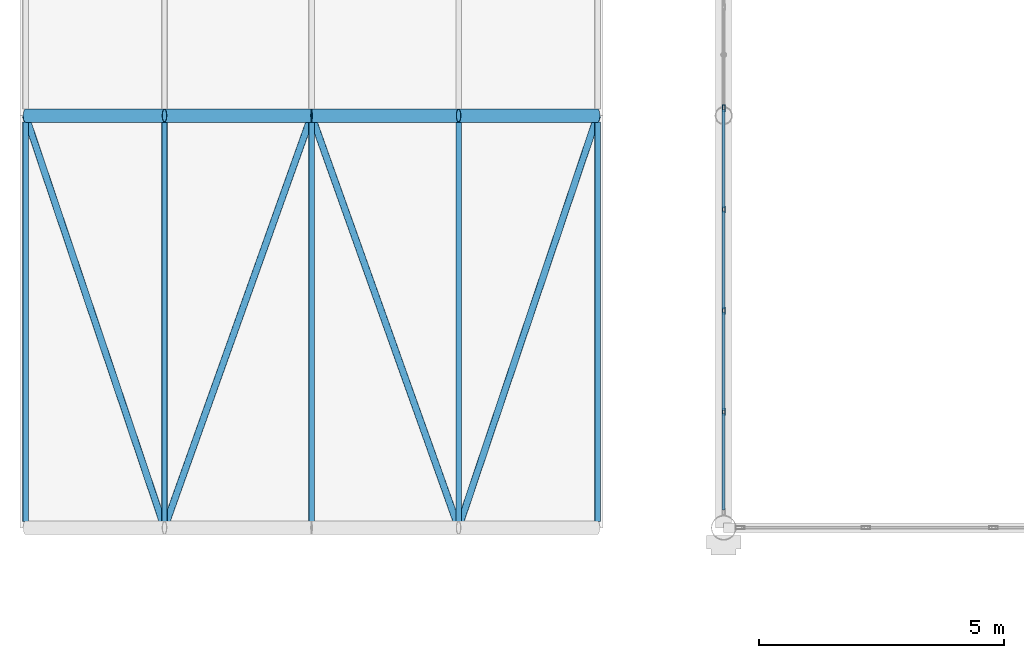
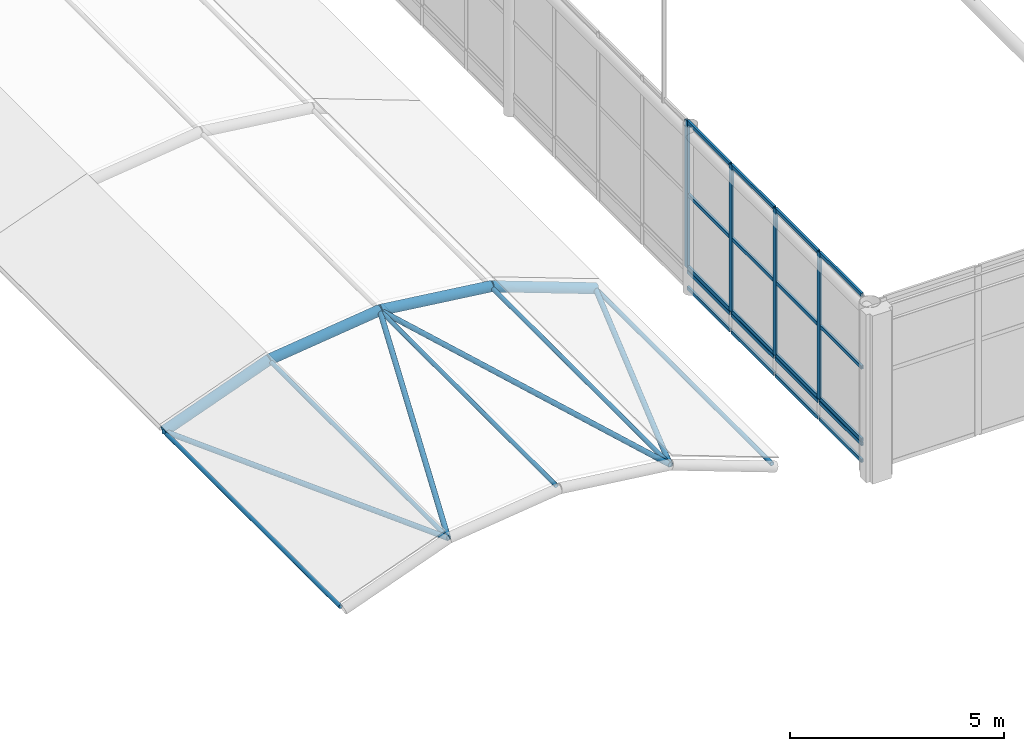
# One storey, part 20 of 167: 37 members, 2 elements without a shape of their own.
"""IFC4 building model written with IfcOpenShell, lengths in metres."""

from ifc_helpers import new_model, si_unit, direction, frame, origin, origin_2d, place, context, subcontext, project, spatial, hollow_rectangle, hollow_circle, extrude, material, material_profile, profile_set, type_object, element, aggregate, save


model = new_model("IFC4")

# Units and contexts
model_context = context("Model", 3, precision=1e-05, world=origin(), true_north=direction((0.0, 1.0)))
body_context = subcontext(model_context, "Body", "Model", "MODEL_VIEW")
ifc_project = project(units=[si_unit("LENGTHUNIT", "METRE"), si_unit("AREAUNIT", "SQUARE_METRE"), si_unit("VOLUMEUNIT", "CUBIC_METRE"), si_unit("PLANEANGLEUNIT", "RADIAN"), si_unit("MASSUNIT", "GRAM", prefix="KILO")], contexts=[model_context])

# Site, building, storey
site_placement = place(None, origin())
site = spatial("IfcSite", under=ifc_project, at=site_placement, CompositionType="ELEMENT")
building_placement = place(site_placement, origin())
building = spatial("IfcBuilding", under=site, at=building_placement, Name="Catenary Quay Ferry Terminal", CompositionType="ELEMENT")
storey_placement = place(building_placement, frame((0.0, 0.0, 6.0)))
storey = spatial("IfcBuildingStorey", under=building, at=storey_placement, Name="L01", CompositionType="ELEMENT", Elevation=6.0)

# Members
ifc_material_1 = material(Name="Steel S355", Category="steel")
ifc_material_profile_1 = material_profile(ifc_material_1, hollow_circle(Radius=0.06982421875, WallThickness=0.008056640625, at=origin_2d()), Name="CHS 139.7x8")
ifc_profile_set_1 = profile_set([ifc_material_profile_1], Name="Steel S355")
member_type_1 = type_object("IfcMemberType", Name="BR1 CHS 139.7x8", PredefinedType="BRACE", material=ifc_profile_set_1)
member_1_placement = place(storey_placement, frame((10.970947265625, 75.60009765625, 0.98388671875), z_axis=(0.317267239947, -0.941052924557, 0.117306826908), x_axis=(0.947595388792, 0.319472970907, 0.0)))
element("IfcMember", 1, at=member_1_placement, inside=storey, type_object=member_type_1, Name="Roof brace BR-FC-01-02", PredefinedType="BRACE", context=body_context, shape_type="SweptSolid", body=[
    extrude(hollow_circle(Radius=0.06982421875, WallThickness=0.008056640625, at=origin_2d()), origin(), (0.0, 0.0, 1.0), 8.92626953125),
])
for number, where, z_axis, x_axis, name in (
    (2, (13.802978515625, 67.199951171875, 2.031005859375), (0.33575277374, 0.9410431481, 0.041326363728), (-0.941847767785, 0.336039852278, 0.0), "Roof brace BR-FC-01-03"),
    (3, (16.800048828125, 75.60009765625, 2.39990234375), (0.33575277374, -0.9410431481, -0.041326363728), (0.941847767785, 0.336039852278, 0.0), "Roof brace BR-FC-01-04"),
):
    element("IfcMember", number, at=place(storey_placement, frame(where, z_axis=z_axis, x_axis=x_axis)), inside=storey, type_object=member_type_1, Name=name, PredefinedType="BRACE", context=body_context, shape_type="SweptSolid", body=[
        extrude(hollow_circle(Radius=0.06982421875, WallThickness=0.008056640625, at=origin_2d()), origin(), (0.0, 0.0, 1.0), 8.926513671875),
    ])
member_2_placement = place(storey_placement, frame((19.797119140625, 67.199951171875, 2.031005859375), z_axis=(0.317242642076, 0.941061090258, -0.117307844802), x_axis=(-0.947603725992, 0.3194482407, 0.0)))
element("IfcMember", 4, at=member_2_placement, inside=storey, type_object=member_type_1, Name="Roof brace BR-FC-01-05", PredefinedType="BRACE", context=body_context, shape_type="SweptSolid", body=[
    extrude(hollow_circle(Radius=0.06982421875, WallThickness=0.008056640625, at=origin_2d()), origin(), (0.0, 0.0, 1.0), 8.92626953125),
])

# Curtain wall, members
ifc_material_2 = material(Name="Aluminium and glass", Category="aluminium")
curtain_wall_type_1 = type_object("IfcCurtainWallType", Name="CWG", PredefinedType="NOTDEFINED", material=ifc_material_2)
curtain_wall_1_placement = place(storey_placement, origin())
curtain_wall_1 = element("IfcCurtainWall", 5, at=curtain_wall_1_placement, inside=storey, type_object=curtain_wall_type_1, Name="Gable arrivals hall curtain wall CW4", PredefinedType="NOTDEFINED")
ifc_material_3 = material(Name="Aluminium", Category="aluminium")
ifc_material_profile_2 = material_profile(ifc_material_3, hollow_rectangle(XDim=0.06005859375, YDim=0.139892578125, WallThickness=0.006103515625, at=origin_2d()), Name="MU2")
ifc_profile_set_2 = profile_set([ifc_material_profile_2], Name="Aluminium")
member_type_2 = type_object("IfcMemberType", Name="MU2", PredefinedType="MULLION", material=ifc_profile_set_2)
member_3_placement = place(storey_placement, frame((25.199951171875, 69.5625, 0.60009765625), z_axis=(0.0, 0.0, 1.0), x_axis=(-1.0, 0.0, 0.0)))
member_3 = element("IfcMember", 6, at=member_3_placement, type_object=member_type_2, Name="CW4 mullion 2", PredefinedType="MULLION", context=body_context, shape_type="SweptSolid", body=[
    extrude(hollow_rectangle(XDim=0.06005859375, YDim=0.139892578125, WallThickness=0.006103515625, at=origin_2d()), origin(), (0.0, 0.0, 1.0), 4.199951171875),
])
member_4_placement = place(storey_placement, frame((25.199951171875, 71.625, 0.60009765625), z_axis=(0.0, 0.0, 1.0), x_axis=(-1.0, 0.0, 0.0)))
member_4 = element("IfcMember", 7, at=member_4_placement, type_object=member_type_2, Name="CW4 mullion 3", PredefinedType="MULLION", context=body_context, shape_type="SweptSolid", body=[
    extrude(hollow_rectangle(XDim=0.06005859375, YDim=0.139892578125, WallThickness=0.006103515625, at=origin_2d()), origin(), (0.0, 0.0, 1.0), 4.199951171875),
])
member_5_placement = place(storey_placement, frame((25.199951171875, 73.6875, 0.60009765625), z_axis=(0.0, 0.0, 1.0), x_axis=(-1.0, 0.0, 0.0)))
member_5 = element("IfcMember", 8, at=member_5_placement, type_object=member_type_2, Name="CW4 mullion 4", PredefinedType="MULLION", context=body_context, shape_type="SweptSolid", body=[
    extrude(hollow_rectangle(XDim=0.06005859375, YDim=0.139892578125, WallThickness=0.006103515625, at=origin_2d()), origin(), (0.0, 0.0, 1.0), 4.199951171875),
])
member_6_placement = place(storey_placement, frame((25.199951171875, 75.75, 0.60009765625), z_axis=(0.0, 0.0, 1.0), x_axis=(-1.0, 0.0, 0.0)))
member_6 = element("IfcMember", 9, at=member_6_placement, type_object=member_type_2, Name="CW4 mullion 5", PredefinedType="MULLION", context=body_context, shape_type="SweptSolid", body=[
    extrude(hollow_rectangle(XDim=0.06005859375, YDim=0.139892578125, WallThickness=0.006103515625, at=origin_2d()), origin(), (0.0, 0.0, 1.0), 4.199951171875),
])

# Members
ifc_material_4 = material(Name="Steel S355", Category="steel")
ifc_material_profile_3 = material_profile(ifc_material_4, hollow_circle(Radius=0.05712890625, WallThickness=0.00634765625, at=origin_2d()), Name="CHS 114.3x6.3")
ifc_profile_set_3 = profile_set([ifc_material_profile_3], Name="Steel S355")
member_type_3 = type_object("IfcMemberType", Name="PU2 CHS 114.3x6.3", PredefinedType="PURLIN", material=ifc_profile_set_3)
for number, where, z_axis, x_axis, name in (
    (10, (10.970947265625, 67.330078125, 0.98388671875), (0.0, 1.0, 0.0), (-1.0, 0.0, 0.0), "Purlin PU-FC-01-01"),
    (11, (13.802978515625, 67.330078125, 2.031005859375), (0.0, 1.0, 0.0), (-1.0, 0.0, 0.0), "Purlin PU-FC-01-02"),
    (12, (16.800048828125, 67.330078125, 2.39990234375), (0.0, 1.0, 0.0), (-1.0, 0.0, 0.0), "Purlin PU-FC-01-03"),
    (13, (19.797119140625, 67.330078125, 2.031005859375), (0.0, 1.0, 0.0), (-1.0, 0.0, 0.0), "Purlin PU-FC-01-04"),
    (14, (22.62890625, 67.330078125, 0.98388671875), (0.0, 1.0, 0.0), (-1.0, 0.0, 0.0), "Purlin PU-FC-01-05"),
):
    element("IfcMember", number, at=place(storey_placement, frame(where, z_axis=z_axis, x_axis=x_axis)), inside=storey, type_object=member_type_3, Name=name, PredefinedType="PURLIN", context=body_context, shape_type="SweptSolid", body=[
        extrude(hollow_circle(Radius=0.05712890625, WallThickness=0.00634765625, at=origin_2d()), origin(), (0.0, 0.0, 1.0), 8.139892578125),
    ])

# Member
ifc_material_5 = material(Name="Aluminium", Category="aluminium")
ifc_material_profile_4 = material_profile(ifc_material_5, hollow_rectangle(XDim=0.06005859375, YDim=0.10009765625, WallThickness=0.0048828125, at=origin_2d()), Name="TR2")
ifc_profile_set_4 = profile_set([ifc_material_profile_4], Name="Aluminium")
member_type_4 = type_object("IfcMemberType", Name="TR2", PredefinedType="USERDEFINED", material=ifc_profile_set_4)
member_7_placement = place(storey_placement, frame((25.199951171875, 67.56005859375, 0.6298828125), z_axis=(0.0, 1.0, 0.0), x_axis=(-1.0, 0.0, 0.0)))
member_7 = element("IfcMember", 15, at=member_7_placement, type_object=member_type_4, Name="CW4 transom 1.1", ObjectType="TRANSOM", PredefinedType="USERDEFINED", context=body_context, shape_type="SweptSolid", body=[
    extrude(hollow_rectangle(XDim=0.06005859375, YDim=0.10009765625, WallThickness=0.0048828125, at=origin_2d()), origin(), (0.0, 0.0, 1.0), 1.972412109375),
])

member_8_placement = place(storey_placement, frame((25.199951171875, 67.56005859375, 2.699951171875), z_axis=(0.0, 1.0, 0.0), x_axis=(-1.0, 0.0, 0.0)))
member_8 = element("IfcMember", 16, at=member_8_placement, type_object=member_type_4, Name="CW4 transom 1.2", ObjectType="TRANSOM", PredefinedType="USERDEFINED", context=body_context, shape_type="SweptSolid", body=[
    extrude(hollow_rectangle(XDim=0.06005859375, YDim=0.10009765625, WallThickness=0.0048828125, at=origin_2d()), origin(), (0.0, 0.0, 1.0), 1.972412109375),
])

member_9_placement = place(storey_placement, frame((25.199951171875, 67.56005859375, 4.77001953125), z_axis=(0.0, 1.0, 0.0), x_axis=(-1.0, 0.0, 0.0)))
member_9 = element("IfcMember", 17, at=member_9_placement, type_object=member_type_4, Name="CW4 transom 1.3", ObjectType="TRANSOM", PredefinedType="USERDEFINED", context=body_context, shape_type="SweptSolid", body=[
    extrude(hollow_rectangle(XDim=0.06005859375, YDim=0.10009765625, WallThickness=0.0048828125, at=origin_2d()), origin(), (0.0, 0.0, 1.0), 1.972412109375),
])

member_10_placement = place(storey_placement, frame((25.199951171875, 69.592529296875, 0.6298828125), z_axis=(0.0, 1.0, 0.0), x_axis=(-1.0, 0.0, 0.0)))
member_10 = element("IfcMember", 18, at=member_10_placement, type_object=member_type_4, Name="CW4 transom 2.1", ObjectType="TRANSOM", PredefinedType="USERDEFINED", context=body_context, shape_type="SweptSolid", body=[
    extrude(hollow_rectangle(XDim=0.06005859375, YDim=0.10009765625, WallThickness=0.0048828125, at=origin_2d()), origin(), (0.0, 0.0, 1.0), 2.00244140625),
])

member_11_placement = place(storey_placement, frame((25.199951171875, 69.592529296875, 2.699951171875), z_axis=(0.0, 1.0, 0.0), x_axis=(-1.0, 0.0, 0.0)))
member_11 = element("IfcMember", 19, at=member_11_placement, type_object=member_type_4, Name="CW4 transom 2.2", ObjectType="TRANSOM", PredefinedType="USERDEFINED", context=body_context, shape_type="SweptSolid", body=[
    extrude(hollow_rectangle(XDim=0.06005859375, YDim=0.10009765625, WallThickness=0.0048828125, at=origin_2d()), origin(), (0.0, 0.0, 1.0), 2.00244140625),
])

member_12_placement = place(storey_placement, frame((25.199951171875, 69.592529296875, 4.77001953125), z_axis=(0.0, 1.0, 0.0), x_axis=(-1.0, 0.0, 0.0)))
member_12 = element("IfcMember", 20, at=member_12_placement, type_object=member_type_4, Name="CW4 transom 2.3", ObjectType="TRANSOM", PredefinedType="USERDEFINED", context=body_context, shape_type="SweptSolid", body=[
    extrude(hollow_rectangle(XDim=0.06005859375, YDim=0.10009765625, WallThickness=0.0048828125, at=origin_2d()), origin(), (0.0, 0.0, 1.0), 2.00244140625),
])

member_13_placement = place(storey_placement, frame((25.199951171875, 71.655029296875, 0.6298828125), z_axis=(0.0, 1.0, 0.0), x_axis=(-1.0, 0.0, 0.0)))
member_13 = element("IfcMember", 21, at=member_13_placement, type_object=member_type_4, Name="CW4 transom 3.1", ObjectType="TRANSOM", PredefinedType="USERDEFINED", context=body_context, shape_type="SweptSolid", body=[
    extrude(hollow_rectangle(XDim=0.06005859375, YDim=0.10009765625, WallThickness=0.0048828125, at=origin_2d()), origin(), (0.0, 0.0, 1.0), 2.00244140625),
])

member_14_placement = place(storey_placement, frame((25.199951171875, 71.655029296875, 2.699951171875), z_axis=(0.0, 1.0, 0.0), x_axis=(-1.0, 0.0, 0.0)))
member_14 = element("IfcMember", 22, at=member_14_placement, type_object=member_type_4, Name="CW4 transom 3.2", ObjectType="TRANSOM", PredefinedType="USERDEFINED", context=body_context, shape_type="SweptSolid", body=[
    extrude(hollow_rectangle(XDim=0.06005859375, YDim=0.10009765625, WallThickness=0.0048828125, at=origin_2d()), origin(), (0.0, 0.0, 1.0), 2.00244140625),
])

member_15_placement = place(storey_placement, frame((25.199951171875, 71.655029296875, 4.77001953125), z_axis=(0.0, 1.0, 0.0), x_axis=(-1.0, 0.0, 0.0)))
member_15 = element("IfcMember", 23, at=member_15_placement, type_object=member_type_4, Name="CW4 transom 3.3", ObjectType="TRANSOM", PredefinedType="USERDEFINED", context=body_context, shape_type="SweptSolid", body=[
    extrude(hollow_rectangle(XDim=0.06005859375, YDim=0.10009765625, WallThickness=0.0048828125, at=origin_2d()), origin(), (0.0, 0.0, 1.0), 2.00244140625),
])

member_16_placement = place(storey_placement, frame((25.199951171875, 73.717529296875, 0.6298828125), z_axis=(0.0, 1.0, 0.0), x_axis=(-1.0, 0.0, 0.0)))
member_16 = element("IfcMember", 24, at=member_16_placement, type_object=member_type_4, Name="CW4 transom 4.1", ObjectType="TRANSOM", PredefinedType="USERDEFINED", context=body_context, shape_type="SweptSolid", body=[
    extrude(hollow_rectangle(XDim=0.06005859375, YDim=0.10009765625, WallThickness=0.0048828125, at=origin_2d()), origin(), (0.0, 0.0, 1.0), 2.00244140625),
])

member_17_placement = place(storey_placement, frame((25.199951171875, 73.717529296875, 2.699951171875), z_axis=(0.0, 1.0, 0.0), x_axis=(-1.0, 0.0, 0.0)))
member_17 = element("IfcMember", 25, at=member_17_placement, type_object=member_type_4, Name="CW4 transom 4.2", ObjectType="TRANSOM", PredefinedType="USERDEFINED", context=body_context, shape_type="SweptSolid", body=[
    extrude(hollow_rectangle(XDim=0.06005859375, YDim=0.10009765625, WallThickness=0.0048828125, at=origin_2d()), origin(), (0.0, 0.0, 1.0), 2.00244140625),
])

member_18_placement = place(storey_placement, frame((25.199951171875, 73.717529296875, 4.77001953125), z_axis=(0.0, 1.0, 0.0), x_axis=(-1.0, 0.0, 0.0)))
member_18 = element("IfcMember", 26, at=member_18_placement, type_object=member_type_4, Name="CW4 transom 4.3", ObjectType="TRANSOM", PredefinedType="USERDEFINED", context=body_context, shape_type="SweptSolid", body=[
    extrude(hollow_rectangle(XDim=0.06005859375, YDim=0.10009765625, WallThickness=0.0048828125, at=origin_2d()), origin(), (0.0, 0.0, 1.0), 2.00244140625),
])

aggregate(curtain_wall_1, [member_3, member_4, member_5, member_6, member_7, member_8, member_9, member_10, member_11, member_12, member_13, member_14, member_15, member_16, member_17, member_18])

# Curtain wall, members
ifc_material_6 = material(Name="Aluminium and glass", Category="aluminium")
curtain_wall_type_2 = type_object("IfcCurtainWallType", Name="CWQ", PredefinedType="NOTDEFINED", material=ifc_material_6)
curtain_wall_2_placement = place(storey_placement, origin())
curtain_wall_2 = element("IfcCurtainWall", 27, at=curtain_wall_2_placement, inside=storey, type_object=curtain_wall_type_2, Name="Gable arrivals hall base curtain wall CW173", PredefinedType="NOTDEFINED")
member_19_placement = place(storey_placement, frame((25.199951171875, 67.56005859375, 0.030029296875), z_axis=(0.0, 1.0, 0.0), x_axis=(-1.0, 0.0, 0.0)))
member_19 = element("IfcMember", 28, at=member_19_placement, type_object=member_type_4, Name="CW173 transom 1.1", ObjectType="TRANSOM", PredefinedType="USERDEFINED", context=body_context, shape_type="SweptSolid", body=[
    extrude(hollow_rectangle(XDim=0.06005859375, YDim=0.10009765625, WallThickness=0.0048828125, at=origin_2d()), origin(), (0.0, 0.0, 1.0), 1.972412109375),
])
member_20_placement = place(storey_placement, frame((25.199951171875, 67.56005859375, 0.510009765625), z_axis=(0.0, 1.0, 0.0), x_axis=(-1.0, 0.0, 0.0)))
member_20 = element("IfcMember", 29, at=member_20_placement, type_object=member_type_4, Name="CW173 transom 1.2", ObjectType="TRANSOM", PredefinedType="USERDEFINED", context=body_context, shape_type="SweptSolid", body=[
    extrude(hollow_rectangle(XDim=0.06005859375, YDim=0.10009765625, WallThickness=0.0048828125, at=origin_2d()), origin(), (0.0, 0.0, 1.0), 1.972412109375),
])
member_21_placement = place(storey_placement, frame((25.199951171875, 69.592529296875, 0.030029296875), z_axis=(0.0, 1.0, 0.0), x_axis=(-1.0, 0.0, 0.0)))
member_21 = element("IfcMember", 30, at=member_21_placement, type_object=member_type_4, Name="CW173 transom 2.1", ObjectType="TRANSOM", PredefinedType="USERDEFINED", context=body_context, shape_type="SweptSolid", body=[
    extrude(hollow_rectangle(XDim=0.06005859375, YDim=0.10009765625, WallThickness=0.0048828125, at=origin_2d()), origin(), (0.0, 0.0, 1.0), 2.00244140625),
])
member_22_placement = place(storey_placement, frame((25.199951171875, 69.592529296875, 0.510009765625), z_axis=(0.0, 1.0, 0.0), x_axis=(-1.0, 0.0, 0.0)))
member_22 = element("IfcMember", 31, at=member_22_placement, type_object=member_type_4, Name="CW173 transom 2.2", ObjectType="TRANSOM", PredefinedType="USERDEFINED", context=body_context, shape_type="SweptSolid", body=[
    extrude(hollow_rectangle(XDim=0.06005859375, YDim=0.10009765625, WallThickness=0.0048828125, at=origin_2d()), origin(), (0.0, 0.0, 1.0), 2.00244140625),
])
member_23_placement = place(storey_placement, frame((25.199951171875, 71.655029296875, 0.030029296875), z_axis=(0.0, 1.0, 0.0), x_axis=(-1.0, 0.0, 0.0)))
member_23 = element("IfcMember", 32, at=member_23_placement, type_object=member_type_4, Name="CW173 transom 3.1", ObjectType="TRANSOM", PredefinedType="USERDEFINED", context=body_context, shape_type="SweptSolid", body=[
    extrude(hollow_rectangle(XDim=0.06005859375, YDim=0.10009765625, WallThickness=0.0048828125, at=origin_2d()), origin(), (0.0, 0.0, 1.0), 2.00244140625),
])
member_24_placement = place(storey_placement, frame((25.199951171875, 71.655029296875, 0.510009765625), z_axis=(0.0, 1.0, 0.0), x_axis=(-1.0, 0.0, 0.0)))
member_24 = element("IfcMember", 33, at=member_24_placement, type_object=member_type_4, Name="CW173 transom 3.2", ObjectType="TRANSOM", PredefinedType="USERDEFINED", context=body_context, shape_type="SweptSolid", body=[
    extrude(hollow_rectangle(XDim=0.06005859375, YDim=0.10009765625, WallThickness=0.0048828125, at=origin_2d()), origin(), (0.0, 0.0, 1.0), 2.00244140625),
])
member_25_placement = place(storey_placement, frame((25.199951171875, 73.717529296875, 0.030029296875), z_axis=(0.0, 1.0, 0.0), x_axis=(-1.0, 0.0, 0.0)))
member_25 = element("IfcMember", 34, at=member_25_placement, type_object=member_type_4, Name="CW173 transom 4.1", ObjectType="TRANSOM", PredefinedType="USERDEFINED", context=body_context, shape_type="SweptSolid", body=[
    extrude(hollow_rectangle(XDim=0.06005859375, YDim=0.10009765625, WallThickness=0.0048828125, at=origin_2d()), origin(), (0.0, 0.0, 1.0), 2.00244140625),
])
member_26_placement = place(storey_placement, frame((25.199951171875, 73.717529296875, 0.510009765625), z_axis=(0.0, 1.0, 0.0), x_axis=(-1.0, 0.0, 0.0)))
member_26 = element("IfcMember", 35, at=member_26_placement, type_object=member_type_4, Name="CW173 transom 4.2", ObjectType="TRANSOM", PredefinedType="USERDEFINED", context=body_context, shape_type="SweptSolid", body=[
    extrude(hollow_rectangle(XDim=0.06005859375, YDim=0.10009765625, WallThickness=0.0048828125, at=origin_2d()), origin(), (0.0, 0.0, 1.0), 2.00244140625),
])
aggregate(curtain_wall_2, [member_19, member_20, member_21, member_22, member_23, member_24, member_25, member_26])

# Members
ifc_material_7 = material(Name="Steel S355", Category="steel")
ifc_material_profile_5 = material_profile(ifc_material_7, hollow_circle(Radius=0.136474609375, WallThickness=0.012451171875, at=origin_2d()), Name="CHS 273x12.5")
ifc_profile_set_5 = profile_set([ifc_material_profile_5], Name="Steel S355")
member_type_5 = type_object("IfcMemberType", Name="VR2 CHS 273x12.5", PredefinedType="RAFTER", material=ifc_profile_set_5)
member_27_placement = place(storey_placement, frame((10.970947265625, 75.60009765625, 0.98388671875), z_axis=(0.937940762231, 0.0, 0.346795511139), x_axis=(0.0, 1.0, 0.0)))
element("IfcMember", 36, at=member_27_placement, inside=storey, type_object=member_type_5, Name="rib FC-02-02", PredefinedType="RAFTER", context=body_context, shape_type="SweptSolid", body=[
    extrude(hollow_circle(Radius=0.136474609375, WallThickness=0.012451171875, at=origin_2d()), origin(), (0.0, 0.0, 1.0), 3.01953125),
])
for number, where, z_axis, x_axis, name in (
    (37, (13.802978515625, 75.60009765625, 2.031005859375), (0.992509955251, 0.0, 0.122163778298), (0.0, 1.0, 0.0), "rib FC-02-03"),
    (38, (16.800048828125, 75.60009765625, 2.39990234375), (0.992509955251, 0.0, -0.122163778298), (0.0, 1.0, 0.0), "rib FC-02-04"),
):
    element("IfcMember", number, at=place(storey_placement, frame(where, z_axis=z_axis, x_axis=x_axis)), inside=storey, type_object=member_type_5, Name=name, PredefinedType="RAFTER", context=body_context, shape_type="SweptSolid", body=[
        extrude(hollow_circle(Radius=0.136474609375, WallThickness=0.012451171875, at=origin_2d()), origin(), (0.0, 0.0, 1.0), 3.019775390625),
    ])
member_28_placement = place(storey_placement, frame((19.797119140625, 75.60009765625, 2.031005859375), z_axis=(0.93793103669, 0.0, -0.346821813636), x_axis=(0.0, 1.0, 0.0)))
element("IfcMember", 39, at=member_28_placement, inside=storey, type_object=member_type_5, Name="rib FC-02-05", PredefinedType="RAFTER", context=body_context, shape_type="SweptSolid", body=[
    extrude(hollow_circle(Radius=0.136474609375, WallThickness=0.012451171875, at=origin_2d()), origin(), (0.0, 0.0, 1.0), 3.019287109375),
])

save(model, "model.ifc")
